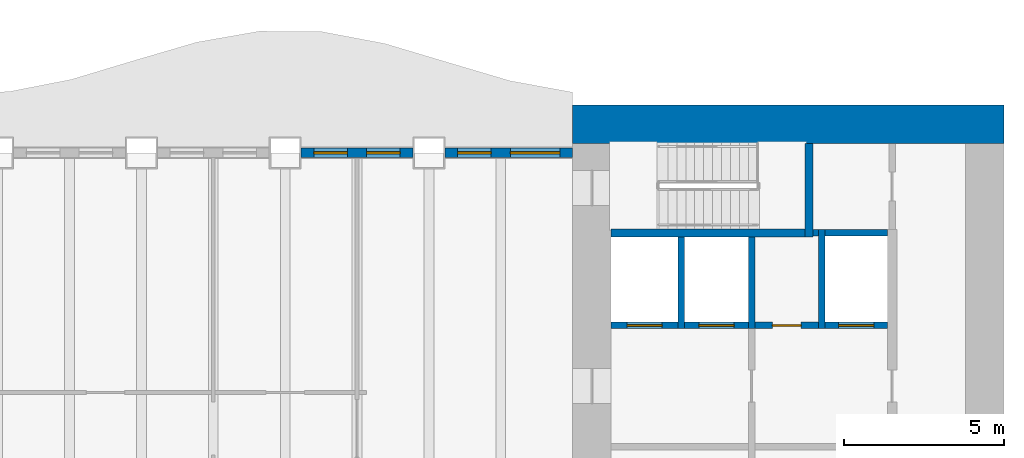
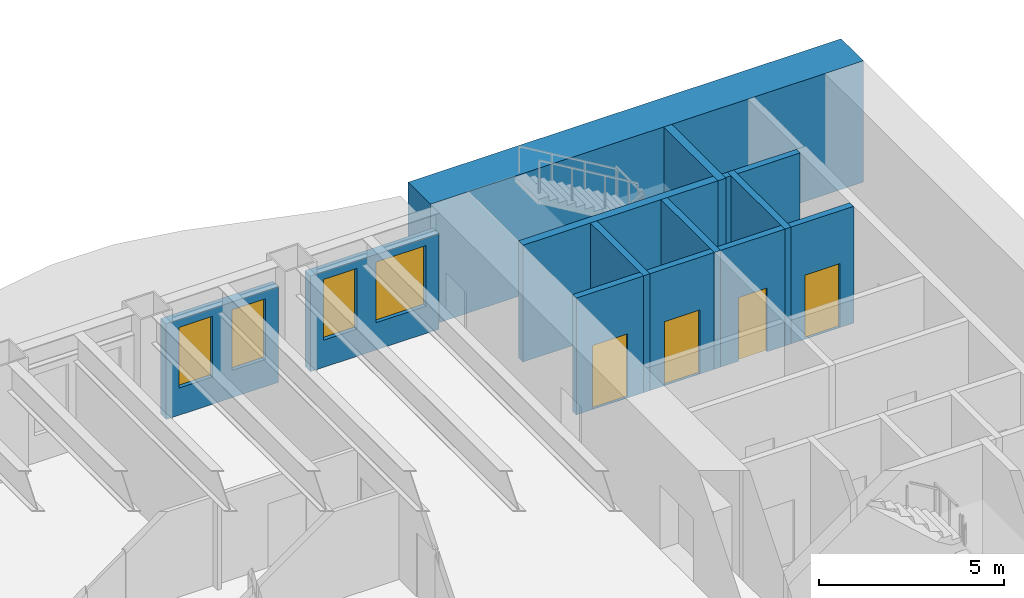
# One storey, part 7 of 16: 14 walls, 4 doors, 4 windows, 8 openings.
"""IFC4 building model written with IfcOpenShell, lengths in metres."""

from ifc_helpers import new_model, si_unit, direction, frame, frame_2d, origin, place, context, subcontext, project, spatial, rectangle, extrude, material, layer, layer_set, type_object, element, fill, save


model = new_model("IFC4")

# Units and contexts
model_context = context("Model", 3, precision=1e-05, world=origin(), true_north=direction((0.0, 1.0)))
body_context = subcontext(model_context, "Body", "Model", "MODEL_VIEW")
ifc_project = project(units=[si_unit("LENGTHUNIT", "METRE"), si_unit("AREAUNIT", "SQUARE_METRE"), si_unit("VOLUMEUNIT", "CUBIC_METRE"), si_unit("PLANEANGLEUNIT", "RADIAN"), si_unit("MASSUNIT", "GRAM", prefix="KILO")], contexts=[model_context])

# Site, building, storey
site_placement = place(None, origin())
site = spatial("IfcSite", under=ifc_project, at=site_placement, CompositionType="ELEMENT")
building_placement = place(site_placement, origin())
building = spatial("IfcBuilding", under=site, at=building_placement, Name="Sennacour Bend Tower", CompositionType="ELEMENT")
storey_placement = place(building_placement, frame((0.0, 0.0, 87.0)))
storey = spatial("IfcBuildingStorey", under=building, at=storey_placement, Name="L19", CompositionType="ELEMENT", Elevation=87.0)

# Wall
ifc_material_1 = material(Name="Concrete C80/95", Category="concrete")
ifc_layer_1 = layer(ifc_material_1, 1.199951171875, Name="Concrete C80/95", Category="concrete")
ifc_layer_set_1 = layer_set([ifc_layer_1], Name="Concrete C80/95")
wall_type_1 = type_object("IfcWallType", Name="Core wall 1200 C80/95", PredefinedType="SHEAR", material=ifc_layer_set_1)
wall_1_placement = place(storey_placement, frame((54.0, 21.89990234375, -0.14990234375), z_axis=(0.0, 0.0, 1.0), x_axis=(1.0, 0.0, 0.0)))
element("IfcWall", 1, at=wall_1_placement, inside=storey, type_object=wall_type_1, Name="Core A wall L19 N", PredefinedType="SHEAR", context=body_context, shape_type="SweptSolid", body=[
    extrude(rectangle(XDim=13.5, YDim=1.199951171875, at=frame_2d((6.75, 0.0))), origin(), (0.0, 0.0, 1.0), 4.0),
])

# Wall, opening, door
ifc_material_2 = material(Name="Fire-rated plasterboard partition on steel studs", Category="steel")
ifc_layer_2 = layer(ifc_material_2, 0.199951171875, Name="Fire-rated plasterboard partition on steel studs", Category="steel")
ifc_layer_set_2 = layer_set([ifc_layer_2], Name="Fire-rated plasterboard partition on steel studs")
wall_type_2 = type_object("IfcWallType", Name="Rated partition 200", PredefinedType="PARTITIONING", material=ifc_layer_set_2)
wall_2_placement = place(storey_placement, frame((59.699951171875, 15.60009765625, 0.0), z_axis=(0.0, 0.0, 1.0), x_axis=(1.0, 0.0, 0.0)))
wall_2 = element("IfcWall", 2, at=wall_2_placement, inside=storey, type_object=wall_type_2, Name="P-L19-W062", PredefinedType="PARTITIONING", context=body_context, shape_type="SweptSolid", body=[
    extrude(rectangle(XDim=2.0, YDim=0.199951171875, at=frame_2d((1.0, 0.0))), origin(), (0.0, 0.0, 1.0), 3.85009765625),
])
opening_1_placement = place(wall_2_placement, frame((0.550048828125, 0.0, 0.0)))
opening_1 = element("IfcOpeningElement", 3, at=opening_1_placement, cuts=wall_2, Name="Opening SV", PredefinedType="OPENING", context=body_context, shape_type="SweptSolid", body=[
    extrude(rectangle(XDim=0.89990234375, YDim=2.10009765625, at=frame_2d((0.449951171875, 1.050048828125))), frame((0.0, 0.10986328125, 0.0), z_axis=(0.0, -1.0, 0.0), x_axis=(1.0, 0.0, 0.0)), (0.0, 0.0, 1.0), 0.219970703125),
])
ifc_material_3 = material(Name="Painted steel", Category="steel")
door_type_1 = type_object("IfcDoorType", Name="DR-SERVICE-900", OperationType="NOTDEFINED", PredefinedType="DOOR", material=ifc_material_3)
door_1_placement = place(opening_1_placement, origin())
door_1 = element("IfcDoor", 4, at=door_1_placement, inside=storey, type_object=door_type_1, Name="Door", OperationType="SINGLE_SWING_LEFT", OverallHeight=2.10009765625, OverallWidth=0.89990234375, PredefinedType="DOOR", context=body_context, shape_type="SweptSolid", body=[
    extrude(rectangle(XDim=0.89990234375, YDim=2.10009765625, at=frame_2d((0.449951171875, 1.050048828125))), frame((0.0, 0.02490234375, 0.0), z_axis=(0.0, -1.0, 0.0), x_axis=(1.0, 0.0, 0.0)), (0.0, 0.0, 1.0), 0.050048828125),
])
fill(opening_1, door_1)

# Wall
wall_3_placement = place(storey_placement, frame((61.52490234375, 18.5, 0.0), z_axis=(0.0, 0.0, 1.0), x_axis=(1.0, 0.0, 0.0)))
element("IfcWall", 5, at=wall_3_placement, inside=storey, type_object=wall_type_2, Name="P-L19-W065", PredefinedType="PARTITIONING", context=body_context, shape_type="SweptSolid", body=[
    extrude(rectangle(XDim=0.175048828125, YDim=0.199951171875, at=frame_2d((0.08740234375, 0.0))), origin(), (0.0, 0.0, 1.0), 3.85009765625),
])

# Wall, openings, windows
ifc_material_4 = material(Name="Warm limestone cladding", Category="masonry")
ifc_layer_3 = layer(ifc_material_4, 0.050048828125, Name="Warm limestone cladding", Category="masonry")
ifc_material_5 = material(Name="Precast concrete C40/50", Category="concrete")
ifc_layer_4 = layer(ifc_material_5, 0.25, Name="Precast concrete C40/50", Category="concrete")
ifc_layer_set_3 = layer_set([ifc_layer_3, ifc_layer_4], Name="Precast concrete C40/50 with limestone cladding")
wall_type_3 = type_object("IfcWallType", Name="STONE-CLAD PRECAST SPANDREL 300", PredefinedType="STANDARD", material=ifc_layer_set_3)
wall_4_placement = place(storey_placement, frame((54.0, 21.0, 0.0), z_axis=(0.0, 0.0, 1.0), x_axis=(-1.0, 0.0, 0.0)))
wall_4 = element("IfcWall", 6, at=wall_4_placement, inside=storey, type_object=wall_type_3, Name="Stone spandrel and pier wall L19 06.00", PredefinedType="STANDARD", context=body_context, shape_type="SweptSolid", body=[
    extrude(rectangle(XDim=4.0, YDim=0.300048828125, at=frame_2d((2.0, 0.0))), origin(), (0.0, 0.0, 1.0), 3.154052734375),
])
opening_2_placement = place(wall_4_placement, frame((0.39990234375, 0.0, 0.89990234375)))
opening_2 = element("IfcOpeningElement", 7, at=opening_2_placement, cuts=wall_4, Name="Opening W9", PredefinedType="OPENING", context=body_context, shape_type="SweptSolid", body=[
    extrude(rectangle(XDim=1.550048828125, YDim=2.0, at=frame_2d((0.77490234375, 1.0))), frame((0.0, 0.16015625, 0.0), z_axis=(0.0, -1.0, 0.0), x_axis=(1.0, 0.0, 0.0)), (0.0, 0.0, 1.0), 0.320068359375),
])
opening_3_placement = place(wall_4_placement, frame((2.550048828125, 0.0, 0.89990234375)))
opening_3 = element("IfcOpeningElement", 8, at=opening_3_placement, cuts=wall_4, Name="Opening W13", PredefinedType="OPENING", context=body_context, shape_type="SweptSolid", body=[
    extrude(rectangle(XDim=1.050048828125, YDim=2.0, at=frame_2d((0.52490234375, 1.0))), frame((0.0, 0.16015625, 0.0), z_axis=(0.0, -1.0, 0.0), x_axis=(1.0, 0.0, 0.0)), (0.0, 0.0, 1.0), 0.320068359375),
])
ifc_material_6 = material(Name="Clear low-emissivity glass", Category="glass")
window_type_1 = type_object("IfcWindowType", Name="WIN-RIBBON-1050x2000", PartitioningType="SINGLE_PANEL", PredefinedType="WINDOW", material=ifc_material_6)
window_1_placement = place(opening_3_placement, origin())
window_1 = element("IfcWindow", 9, at=window_1_placement, inside=storey, type_object=window_type_1, Name="Ribbon window L19 06.00.1", OverallHeight=2.0, OverallWidth=1.050048828125, PartitioningType="SINGLE_PANEL", PredefinedType="WINDOW", context=body_context, shape_type="SweptSolid", body=[
    extrude(rectangle(XDim=1.050048828125, YDim=2.0, at=frame_2d((0.52490234375, 1.0))), frame((0.0, 0.030029296875, 0.0), z_axis=(0.0, -1.0, 0.0), x_axis=(1.0, 0.0, 0.0)), (0.0, 0.0, 1.0), 0.06005859375),
])
fill(opening_3, window_1)
window_type_2 = type_object("IfcWindowType", Name="WIN-RIBBON-1550x2000", PartitioningType="SINGLE_PANEL", PredefinedType="WINDOW", material=ifc_material_6)
window_2_placement = place(opening_2_placement, origin())
window_2 = element("IfcWindow", 10, at=window_2_placement, inside=storey, type_object=window_type_2, Name="Ribbon window L19 06.00.0", OverallHeight=2.0, OverallWidth=1.550048828125, PartitioningType="SINGLE_PANEL", PredefinedType="WINDOW", context=body_context, shape_type="SweptSolid", body=[
    extrude(rectangle(XDim=1.550048828125, YDim=2.0, at=frame_2d((0.77490234375, 1.0))), frame((0.0, 0.030029296875, 0.0), z_axis=(0.0, -1.0, 0.0), x_axis=(1.0, 0.0, 0.0)), (0.0, 0.0, 1.0), 0.06005859375),
])
fill(opening_2, window_2)

wall_5_placement = place(storey_placement, frame((49.0, 21.0, 0.0), z_axis=(0.0, 0.0, 1.0), x_axis=(-1.0, 0.0, 0.0)))
wall_5 = element("IfcWall", 11, at=wall_5_placement, inside=storey, type_object=wall_type_3, Name="Stone spandrel and pier wall L19 06.01", PredefinedType="STANDARD", context=body_context, shape_type="SweptSolid", body=[
    extrude(rectangle(XDim=3.5, YDim=0.300048828125, at=frame_2d((1.75, 0.0))), origin(), (0.0, 0.0, 1.0), 3.154052734375),
])
opening_4_placement = place(wall_5_placement, frame((0.39990234375, 0.0, 0.89990234375)))
opening_4 = element("IfcOpeningElement", 12, at=opening_4_placement, cuts=wall_5, Name="Opening W13", PredefinedType="OPENING", context=body_context, shape_type="SweptSolid", body=[
    extrude(rectangle(XDim=1.050048828125, YDim=2.0, at=frame_2d((0.52490234375, 1.0))), frame((0.0, 0.16015625, 0.0), z_axis=(0.0, -1.0, 0.0), x_axis=(1.0, 0.0, 0.0)), (0.0, 0.0, 1.0), 0.320068359375),
])
opening_5_placement = place(wall_5_placement, frame((2.050048828125, 0.0, 0.89990234375)))
opening_5 = element("IfcOpeningElement", 13, at=opening_5_placement, cuts=wall_5, Name="Opening W13", PredefinedType="OPENING", context=body_context, shape_type="SweptSolid", body=[
    extrude(rectangle(XDim=1.050048828125, YDim=2.0, at=frame_2d((0.52490234375, 1.0))), frame((0.0, 0.16015625, 0.0), z_axis=(0.0, -1.0, 0.0), x_axis=(1.0, 0.0, 0.0)), (0.0, 0.0, 1.0), 0.320068359375),
])
window_3_placement = place(opening_4_placement, origin())
window_3 = element("IfcWindow", 14, at=window_3_placement, inside=storey, type_object=window_type_1, Name="Ribbon window L19 06.01.0", OverallHeight=2.0, OverallWidth=1.050048828125, PartitioningType="SINGLE_PANEL", PredefinedType="WINDOW", context=body_context, shape_type="SweptSolid", body=[
    extrude(rectangle(XDim=1.050048828125, YDim=2.0, at=frame_2d((0.52490234375, 1.0))), frame((0.0, 0.030029296875, 0.0), z_axis=(0.0, -1.0, 0.0), x_axis=(1.0, 0.0, 0.0)), (0.0, 0.0, 1.0), 0.06005859375),
])
fill(opening_4, window_3)
window_4_placement = place(opening_5_placement, origin())
window_4 = element("IfcWindow", 15, at=window_4_placement, inside=storey, type_object=window_type_1, Name="Ribbon window L19 06.01.1", OverallHeight=2.0, OverallWidth=1.050048828125, PartitioningType="SINGLE_PANEL", PredefinedType="WINDOW", context=body_context, shape_type="SweptSolid", body=[
    extrude(rectangle(XDim=1.050048828125, YDim=2.0, at=frame_2d((0.52490234375, 1.0))), frame((0.0, 0.030029296875, 0.0), z_axis=(0.0, -1.0, 0.0), x_axis=(1.0, 0.0, 0.0)), (0.0, 0.0, 1.0), 0.06005859375),
])
fill(opening_5, window_4)

# Walls
ifc_material_7 = material(Name="Concrete C50/60", Category="concrete")
ifc_layer_5 = layer(ifc_material_7, 0.199951171875, Name="Concrete C50/60", Category="concrete")
ifc_layer_set_4 = layer_set([ifc_layer_5], Name="Concrete C50/60")
wall_type_4 = type_object("IfcWallType", Name="Shaft wall 200", PredefinedType="SOLIDWALL", material=ifc_layer_set_4)
for number, where, z_axis, x_axis, name in (
    (16, (57.39990234375, 15.5, 0.0), (0.0, 0.0, 1.0), (0.0, 1.0, 0.0), "P-L19-W037"),
    (17, (59.60009765625, 15.5, 0.0), (0.0, 0.0, 1.0), (0.0, 1.0, 0.0), "P-L19-W040"),
):
    element("IfcWall", number, at=place(storey_placement, frame(where, z_axis=z_axis, x_axis=x_axis)), inside=storey, type_object=wall_type_4, Name=name, PredefinedType="SOLIDWALL", context=body_context, shape_type="SweptSolid", body=[
        extrude(rectangle(XDim=2.875, YDim=0.199951171875, at=frame_2d((1.4375, 0.0))), origin(), (0.0, 0.0, 1.0), 3.85009765625),
    ])
wall_6_placement = place(storey_placement, frame((61.800048828125, 15.5, 0.0), z_axis=(0.0, 0.0, 1.0), x_axis=(0.0, 1.0, 0.0)))
element("IfcWall", 18, at=wall_6_placement, inside=storey, type_object=wall_type_4, Name="P-L19-W044", PredefinedType="SOLIDWALL", context=body_context, shape_type="SweptSolid", body=[
    extrude(rectangle(XDim=3.10009765625, YDim=0.199951171875, at=frame_2d((1.550048828125, 0.0))), origin(), (0.0, 0.0, 1.0), 3.85009765625),
])

# Wall, opening, door
wall_7_placement = place(storey_placement, frame((55.199951171875, 15.60009765625, 0.0), z_axis=(0.0, 0.0, 1.0), x_axis=(1.0, 0.0, 0.0)))
wall_7 = element("IfcWall", 19, at=wall_7_placement, inside=storey, type_object=wall_type_4, Name="P-L19-W061a", PredefinedType="SOLIDWALL", context=body_context, shape_type="SweptSolid", body=[
    extrude(rectangle(XDim=2.10009765625, YDim=0.199951171875, at=frame_2d((1.050048828125, 0.0))), origin(), (0.0, 0.0, 1.0), 3.85009765625),
])
opening_6_placement = place(wall_7_placement, frame((0.5, 0.0, 0.011962890625)))
opening_6 = element("IfcOpeningElement", 20, at=opening_6_placement, cuts=wall_7, Name="Opening FLD", PredefinedType="OPENING", context=body_context, shape_type="SweptSolid", body=[
    extrude(rectangle(XDim=1.10009765625, YDim=2.10009765625, at=frame_2d((0.550048828125, 1.050048828125))), frame((0.0, 0.10986328125, 0.0), z_axis=(0.0, -1.0, 0.0), x_axis=(1.0, 0.0, 0.0)), (0.0, 0.0, 1.0), 0.219970703125),
])
ifc_material_8 = material(Name="Stainless steel", Category="steel")
door_type_2 = type_object("IfcDoorType", Name="DR-FF-LANDING-1100", OperationType="NOTDEFINED", PredefinedType="DOOR", material=ifc_material_8)
door_2_placement = place(opening_6_placement, origin())
door_2 = element("IfcDoor", 21, at=door_2_placement, inside=storey, type_object=door_type_2, Name="Fire service lift landing door FA1", OperationType="SLIDING_TO_LEFT", OverallHeight=2.10009765625, OverallWidth=1.10009765625, PredefinedType="DOOR", context=body_context, shape_type="SweptSolid", body=[
    extrude(rectangle(XDim=1.10009765625, YDim=2.10009765625, at=frame_2d((0.550048828125, 1.050048828125))), frame((0.0, 0.02490234375, 0.0), z_axis=(0.0, -1.0, 0.0), x_axis=(1.0, 0.0, 0.0)), (0.0, 0.0, 1.0), 0.050048828125),
])
fill(opening_6, door_2)

wall_8_placement = place(storey_placement, frame((57.5, 15.60009765625, 0.0), z_axis=(0.0, 0.0, 1.0), x_axis=(1.0, 0.0, 0.0)))
wall_8 = element("IfcWall", 22, at=wall_8_placement, inside=storey, type_object=wall_type_4, Name="P-L19-W061b", PredefinedType="SOLIDWALL", context=body_context, shape_type="SweptSolid", body=[
    extrude(rectangle(XDim=2.0, YDim=0.199951171875, at=frame_2d((1.0, 0.0))), origin(), (0.0, 0.0, 1.0), 3.85009765625),
])
opening_7_placement = place(wall_8_placement, frame((0.449951171875, 0.0, 0.011962890625)))
opening_7 = element("IfcOpeningElement", 23, at=opening_7_placement, cuts=wall_8, Name="Opening FLD", PredefinedType="OPENING", context=body_context, shape_type="SweptSolid", body=[
    extrude(rectangle(XDim=1.10009765625, YDim=2.10009765625, at=frame_2d((0.550048828125, 1.050048828125))), frame((0.0, 0.10986328125, 0.0), z_axis=(0.0, -1.0, 0.0), x_axis=(1.0, 0.0, 0.0)), (0.0, 0.0, 1.0), 0.219970703125),
])
door_3_placement = place(opening_7_placement, origin())
door_3 = element("IfcDoor", 24, at=door_3_placement, inside=storey, type_object=door_type_2, Name="Fire service lift landing door FA2", OperationType="SLIDING_TO_RIGHT", OverallHeight=2.10009765625, OverallWidth=1.10009765625, PredefinedType="DOOR", context=body_context, shape_type="SweptSolid", body=[
    extrude(rectangle(XDim=1.10009765625, YDim=2.10009765625, at=frame_2d((0.550048828125, 1.050048828125))), frame((0.0, 0.02490234375, 0.0), z_axis=(0.0, -1.0, 0.0), x_axis=(1.0, 0.0, 0.0)), (0.0, 0.0, 1.0), 0.050048828125),
])
fill(opening_7, door_3)

wall_9_placement = place(storey_placement, frame((61.89990234375, 15.60009765625, 0.0), z_axis=(0.0, 0.0, 1.0), x_axis=(1.0, 0.0, 0.0)))
wall_9 = element("IfcWall", 25, at=wall_9_placement, inside=storey, type_object=wall_type_4, Name="P-L19-W063", PredefinedType="SOLIDWALL", context=body_context, shape_type="SweptSolid", body=[
    extrude(rectangle(XDim=1.9501953125, YDim=0.199951171875, at=frame_2d((0.97509765625, 0.0))), origin(), (0.0, 0.0, 1.0), 3.85009765625),
])
opening_8_placement = place(wall_9_placement, frame((0.425048828125, 0.0, 0.011962890625)))
opening_8 = element("IfcOpeningElement", 26, at=opening_8_placement, cuts=wall_9, Name="Opening LD", PredefinedType="OPENING", context=body_context, shape_type="SweptSolid", body=[
    extrude(rectangle(XDim=1.10009765625, YDim=2.10009765625, at=frame_2d((0.550048828125, 1.050048828125))), frame((0.0, 0.10986328125, 0.0), z_axis=(0.0, -1.0, 0.0), x_axis=(1.0, 0.0, 0.0)), (0.0, 0.0, 1.0), 0.219970703125),
])
door_type_3 = type_object("IfcDoorType", Name="DR-LANDING-1100", OperationType="NOTDEFINED", PredefinedType="DOOR", material=ifc_material_8)
door_4_placement = place(opening_8_placement, origin())
door_4 = element("IfcDoor", 27, at=door_4_placement, inside=storey, type_object=door_type_3, Name="Lift landing door LA5", OperationType="SLIDING_TO_LEFT", OverallHeight=2.10009765625, OverallWidth=1.10009765625, PredefinedType="DOOR", context=body_context, shape_type="SweptSolid", body=[
    extrude(rectangle(XDim=1.10009765625, YDim=2.10009765625, at=frame_2d((0.550048828125, 1.050048828125))), frame((0.0, 0.02490234375, 0.0), z_axis=(0.0, -1.0, 0.0), x_axis=(1.0, 0.0, 0.0)), (0.0, 0.0, 1.0), 0.050048828125),
])
fill(opening_8, door_4)

# Walls
wall_10_placement = place(storey_placement, frame((61.89990234375, 18.5, 0.0), z_axis=(0.0, 0.0, 1.0), x_axis=(1.0, 0.0, 0.0)))
element("IfcWall", 28, at=wall_10_placement, inside=storey, type_object=wall_type_4, Name="P-L19-W066", PredefinedType="SOLIDWALL", context=body_context, shape_type="SweptSolid", body=[
    extrude(rectangle(XDim=1.9501953125, YDim=0.199951171875, at=frame_2d((0.97509765625, 0.0))), origin(), (0.0, 0.0, 1.0), 3.85009765625),
])
ifc_material_9 = material(Name="Concrete C60/75", Category="concrete")
ifc_layer_6 = layer(ifc_material_9, 0.25, Name="Concrete C60/75", Category="concrete")
ifc_layer_set_5 = layer_set([ifc_layer_6], Name="Concrete C60/75")
wall_type_5 = type_object("IfcWallType", Name="Stair wall 250", PredefinedType="SHEAR", material=ifc_layer_set_5)
wall_11_placement = place(storey_placement, frame((61.39990234375, 18.375, 0.0), z_axis=(0.0, 0.0, 1.0), x_axis=(0.0, 1.0, 0.0)))
element("IfcWall", 29, at=wall_11_placement, inside=storey, type_object=wall_type_5, Name="P-L19-W042", PredefinedType="SHEAR", context=body_context, shape_type="SweptSolid", body=[
    extrude(rectangle(XDim=2.925048828125, YDim=0.25, at=frame_2d((1.46240234375, 0.0))), origin(), (0.0, 0.0, 1.0), 3.85009765625),
])
wall_12_placement = place(storey_placement, frame((55.199951171875, 18.5, 0.0), z_axis=(0.0, 0.0, 1.0), x_axis=(1.0, 0.0, 0.0)))
element("IfcWall", 30, at=wall_12_placement, inside=storey, type_object=wall_type_5, Name="P-L19-W064", PredefinedType="SHEAR", context=body_context, shape_type="SweptSolid", body=[
    extrude(rectangle(XDim=6.074951171875, YDim=0.25, at=frame_2d((3.03759765625, 0.0))), origin(), (0.0, 0.0, 1.0), 3.85009765625),
])

save(model, "model.ifc")
